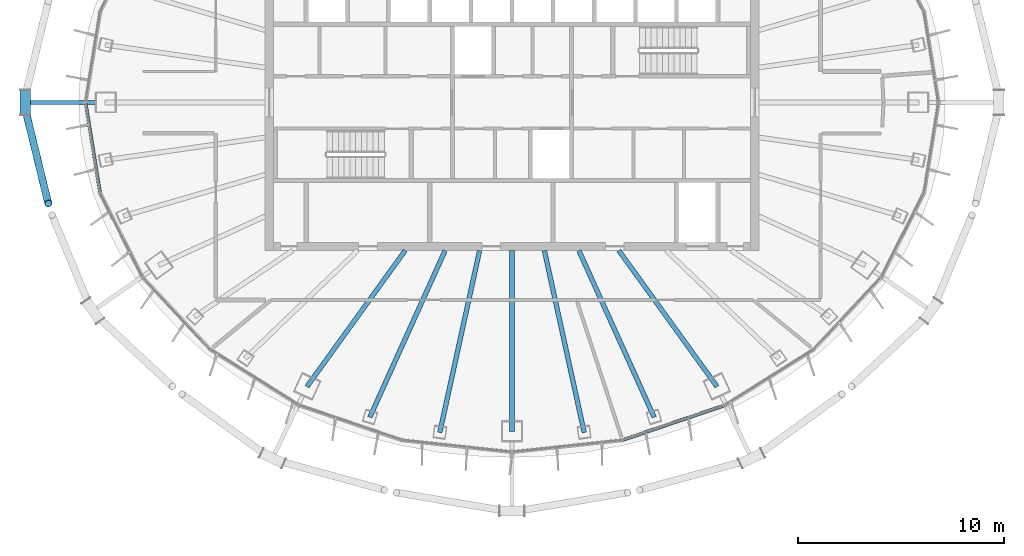
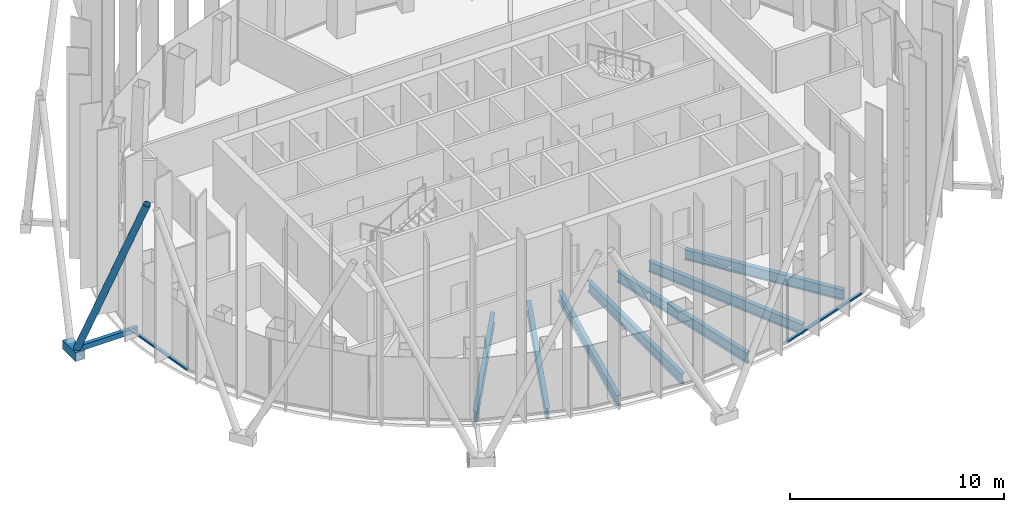
# One storey, part 3 of 19: 7 beams, 5 members, 2 elements without a shape of their own.
"""IFC4 building model written with IfcOpenShell, lengths in metres."""

from ifc_helpers import new_model, si_unit, direction, frame, origin, origin_2d, place, context, subcontext, project, spatial, rectangle, hollow_rectangle, hollow_circle, i_section, extrude, material, layer, layer_set, material_profile, profile_set, type_object, element, aggregate, save


model = new_model("IFC4")

# Units and contexts
model_context = context("Model", 3, precision=1e-05, world=origin(), true_north=direction((0.0, 1.0)))
body_context = subcontext(model_context, "Body", "Model", "MODEL_VIEW")
ifc_project = project(units=[si_unit("LENGTHUNIT", "METRE"), si_unit("AREAUNIT", "SQUARE_METRE"), si_unit("VOLUMEUNIT", "CUBIC_METRE"), si_unit("PLANEANGLEUNIT", "RADIAN"), si_unit("MASSUNIT", "GRAM", prefix="KILO")], contexts=[model_context])

# Site, building, storey
site_placement = place(None, origin())
site = spatial("IfcSite", under=ifc_project, at=site_placement, CompositionType="ELEMENT")
building_placement = place(site_placement, origin())
building = spatial("IfcBuilding", under=site, at=building_placement, Name="Siaravel Broadcast Tower", CompositionType="ELEMENT")
storey_placement = place(building_placement, frame((0.0, 0.0, 250.39990234375)))
storey = spatial("IfcBuildingStorey", under=building, at=storey_placement, Name="L61", CompositionType="ELEMENT", Elevation=250.39990234375)

# Beams
ifc_material_1 = material(Name="Steel S355", Category="steel")
ifc_material_profile_1 = material_profile(ifc_material_1, i_section(OverallWidth=0.2275390625, OverallDepth=0.6025390625, WebThickness=0.010498046875, FlangeThickness=0.014892578125, FilletRadius=0.0126953125, at=origin_2d()))
ifc_profile_set_1 = profile_set([ifc_material_profile_1], Name="Steel S355")
beam_type = type_object("IfcBeamType", Name="BM-UB 610x229x101", PredefinedType="BEAM", material=ifc_profile_set_1)
beam_1_placement = place(storey_placement, frame((-9.967529296875, -13.814208984375, -0.451171875), z_axis=(0.585127658, 0.810941196, 0.0), x_axis=(-0.810941196, 0.585127658, 0.0)))
element("IfcBeam", 1, at=beam_1_placement, inside=storey, type_object=beam_type, Name="Radial beam RB25", PredefinedType="BEAM", context=body_context, shape_type="SweptSolid", body=[
    extrude(i_section(OverallWidth=0.2275390625, OverallDepth=0.6025390625, WebThickness=0.010498046875, FlangeThickness=0.014892578125, FilletRadius=0.0126953125, at=origin_2d()), origin(), (0.0, 0.0, 1.0), 8.15625),
])
beam_2_placement = place(storey_placement, frame((-6.911376953125, -15.3017578125, -0.451171875), z_axis=(0.411614684, 0.911357971, 0.0), x_axis=(-0.911357971, 0.411614684, 0.0)))
element("IfcBeam", 2, at=beam_2_placement, inside=storey, type_object=beam_type, Name="Radial beam RB26", PredefinedType="BEAM", context=body_context, shape_type="SweptSolid", body=[
    extrude(i_section(OverallWidth=0.2275390625, OverallDepth=0.6025390625, WebThickness=0.010498046875, FlangeThickness=0.014892578125, FilletRadius=0.0126953125, at=origin_2d()), origin(), (0.0, 0.0, 1.0), 8.889892578125),
])
beam_3_placement = place(storey_placement, frame((-3.5107421875, -16.048095703125, -0.451171875), z_axis=(0.213698487, 0.976899666, 0.0), x_axis=(-0.976899666, 0.213698487, 0.0)))
element("IfcBeam", 3, at=beam_3_placement, inside=storey, type_object=beam_type, Name="Radial beam RB27", PredefinedType="BEAM", context=body_context, shape_type="SweptSolid", body=[
    extrude(i_section(OverallWidth=0.2275390625, OverallDepth=0.6025390625, WebThickness=0.010498046875, FlangeThickness=0.014892578125, FilletRadius=0.0126953125, at=origin_2d()), origin(), (0.0, 0.0, 1.0), 9.057373046875),
])
beam_4_placement = place(storey_placement, frame((0.0, -15.99951171875, -0.451171875), z_axis=(0.0, 1.0, 0.0), x_axis=(-1.0, 0.0, 0.0)))
element("IfcBeam", 4, at=beam_4_placement, inside=storey, type_object=beam_type, Name="Radial beam RB28", PredefinedType="BEAM", context=body_context, shape_type="SweptSolid", body=[
    extrude(i_section(OverallWidth=0.2275390625, OverallDepth=0.6025390625, WebThickness=0.010498046875, FlangeThickness=0.014892578125, FilletRadius=0.0126953125, at=origin_2d()), origin(), (0.0, 0.0, 1.0), 8.799560546875),
])
beam_5_placement = place(storey_placement, frame((3.5107421875, -16.048095703125, -0.451171875), z_axis=(-0.213698487, 0.976899666, 0.0), x_axis=(-0.976899666, -0.213698487, 0.0)))
element("IfcBeam", 5, at=beam_5_placement, inside=storey, type_object=beam_type, Name="Radial beam RB29", PredefinedType="BEAM", context=body_context, shape_type="SweptSolid", body=[
    extrude(i_section(OverallWidth=0.2275390625, OverallDepth=0.6025390625, WebThickness=0.010498046875, FlangeThickness=0.014892578125, FilletRadius=0.0126953125, at=origin_2d()), origin(), (0.0, 0.0, 1.0), 9.057373046875),
])
beam_6_placement = place(storey_placement, frame((6.911376953125, -15.3017578125, -0.451171875), z_axis=(-0.411614684, 0.911357971, 0.0), x_axis=(-0.911357971, -0.411614684, 0.0)))
element("IfcBeam", 6, at=beam_6_placement, inside=storey, type_object=beam_type, Name="Radial beam RB30", PredefinedType="BEAM", context=body_context, shape_type="SweptSolid", body=[
    extrude(i_section(OverallWidth=0.2275390625, OverallDepth=0.6025390625, WebThickness=0.010498046875, FlangeThickness=0.014892578125, FilletRadius=0.0126953125, at=origin_2d()), origin(), (0.0, 0.0, 1.0), 8.889892578125),
])
beam_7_placement = place(storey_placement, frame((9.967529296875, -13.814208984375, -0.451171875), z_axis=(-0.585127658, 0.810941196, 0.0), x_axis=(-0.810941196, -0.585127658, 0.0)))
element("IfcBeam", 7, at=beam_7_placement, inside=storey, type_object=beam_type, Name="Radial beam RB31", PredefinedType="BEAM", context=body_context, shape_type="SweptSolid", body=[
    extrude(i_section(OverallWidth=0.2275390625, OverallDepth=0.6025390625, WebThickness=0.010498046875, FlangeThickness=0.014892578125, FilletRadius=0.0126953125, at=origin_2d()), origin(), (0.0, 0.0, 1.0), 8.15625),
])

# Curtain wall, member
ifc_material_2 = material(Name="Aluminium 6063-T6", Category="aluminium")
ifc_layer = layer(ifc_material_2, 0.159912109375)
ifc_layer_set = layer_set([ifc_layer], Name="Aluminium 6063-T6")
curtain_wall_type = type_object("IfcCurtainWallType", Name="Unitised curtain wall, zone 4", PredefinedType="NOTDEFINED", material=ifc_layer_set)
curtain_wall_1_placement = place(storey_placement, origin())
curtain_wall_1 = element("IfcCurtainWall", 8, at=curtain_wall_1_placement, inside=storey, type_object=curtain_wall_type, Name="L61 Unitised curtain wall, zone 4 07", PredefinedType="NOTDEFINED")
ifc_material_profile_2 = material_profile(ifc_material_2, rectangle(XDim=0.159912109375, YDim=0.090087890625, at=origin_2d()))
ifc_profile_set_2 = profile_set([ifc_material_profile_2], Name="Aluminium 6063-T6")
member_type_1 = type_object("IfcMemberType", Name="CW-Z4 transom", PredefinedType="USERDEFINED", material=ifc_profile_set_2)
member_1_placement = place(storey_placement, frame((-20.724853515625, -0.05419921875, 0.045166015625), z_axis=(0.158667409, -0.987332089, 0.0), x_axis=(0.987332089, 0.158667409, 0.0)))
member_1 = element("IfcMember", 9, at=member_1_placement, type_object=member_type_1, Name="CW-Z4 transom 1", ObjectType="TRANSOM", PredefinedType="USERDEFINED", context=body_context, shape_type="SweptSolid", body=[
    extrude(rectangle(XDim=0.159912109375, YDim=0.090087890625, at=origin_2d()), origin(), (0.0, 0.0, 1.0), 4.37451171875),
])
aggregate(curtain_wall_1, [member_1])

curtain_wall_2_placement = place(storey_placement, origin())
curtain_wall_2 = element("IfcCurtainWall", 10, at=curtain_wall_2_placement, inside=storey, type_object=curtain_wall_type, Name="L61 Unitised curtain wall, zone 4 10", PredefinedType="NOTDEFINED")
member_2_placement = place(storey_placement, frame((5.39013671875, -16.40478515625, 0.045166015625), z_axis=(0.946973595, 0.321311392, 0.0), x_axis=(-0.321311392, 0.946973595, 0.0)))
member_2 = element("IfcMember", 11, at=member_2_placement, type_object=member_type_1, Name="CW-Z4 transom 2", ObjectType="TRANSOM", PredefinedType="USERDEFINED", context=body_context, shape_type="SweptSolid", body=[
    extrude(rectangle(XDim=0.159912109375, YDim=0.090087890625, at=origin_2d()), origin(), (0.0, 0.0, 1.0), 5.196533203125),
])
aggregate(curtain_wall_2, [member_2])

# Members
ifc_material_3 = material(Name="Steel S460", Category="steel")
ifc_material_profile_3 = material_profile(ifc_material_3, hollow_circle(Radius=0.177734375, WallThickness=0.012451171875, at=origin_2d()))
ifc_profile_set_3 = profile_set([ifc_material_profile_3], Name="Steel S460")
member_type_2 = type_object("IfcMemberType", Name="Diagrid diagonal CHS 355.6x12.5", PredefinedType="BRACE", material=ifc_profile_set_3)
member_3_placement = place(storey_placement, frame((-23.667724609375, -0.295654296875, 0.02001953125), z_axis=(0.096452736, -0.395558715, 0.913362016), x_axis=(0.971534472, 0.236898226, 0.0)))
element("IfcMember", 12, at=member_3_placement, inside=storey, type_object=member_type_2, Name="Diagrid diagonal R25 station 36A", PredefinedType="BRACE", context=body_context, shape_type="SweptSolid", body=[
    extrude(hollow_circle(Radius=0.177734375, WallThickness=0.012451171875, at=origin_2d()), origin(), (0.0, 0.0, 1.0), 11.67138671875),
])
ifc_material_profile_4 = material_profile(ifc_material_3, hollow_rectangle(XDim=0.5, YDim=0.5, WallThickness=0.031982421875, at=origin_2d()))
ifc_profile_set_4 = profile_set([ifc_material_profile_4], Name="Steel S460")
member_type_3 = type_object("IfcMemberType", Name="Diagrid node BOX 500x500x32", PredefinedType="USERDEFINED", material=ifc_profile_set_4)
member_4_placement = place(storey_placement, frame((-23.667724609375, 0.593505859375, -0.199951171875), z_axis=(0.0, -1.0, 0.0), x_axis=(1.0, 0.0, 0.0)))
element("IfcMember", 13, at=member_4_placement, inside=storey, type_object=member_type_3, Name="Diagrid node R25 station 36", ObjectType="DIAGRID NODE", PredefinedType="USERDEFINED", context=body_context, shape_type="SweptSolid", body=[
    extrude(hollow_rectangle(XDim=0.5, YDim=0.5, WallThickness=0.031982421875, at=origin_2d()), origin(), (0.0, 0.0, 1.0), 1.18701171875),
])
ifc_material_profile_5 = material_profile(ifc_material_3, hollow_rectangle(XDim=0.199951171875, YDim=0.300048828125, WallThickness=0.012451171875, at=origin_2d()))
ifc_profile_set_5 = profile_set([ifc_material_profile_5], Name="Steel S460")
member_type_4 = type_object("IfcMemberType", Name="Diagrid node arm RHS 300x200x12.5", PredefinedType="STRUT", material=ifc_profile_set_5)
member_5_placement = place(storey_placement, frame((-20.24560546875, 0.0, -0.199951171875), z_axis=(-1.0, 0.0, 0.0), x_axis=(0.0, -1.0, 0.0)))
element("IfcMember", 14, at=member_5_placement, inside=storey, type_object=member_type_4, Name="Node arm R25 station 36", PredefinedType="STRUT", context=body_context, shape_type="SweptSolid", body=[
    extrude(hollow_rectangle(XDim=0.199951171875, YDim=0.300048828125, WallThickness=0.012451171875, at=origin_2d()), origin(), (0.0, 0.0, 1.0), 3.2021484375),
])

save(model, "model.ifc")
